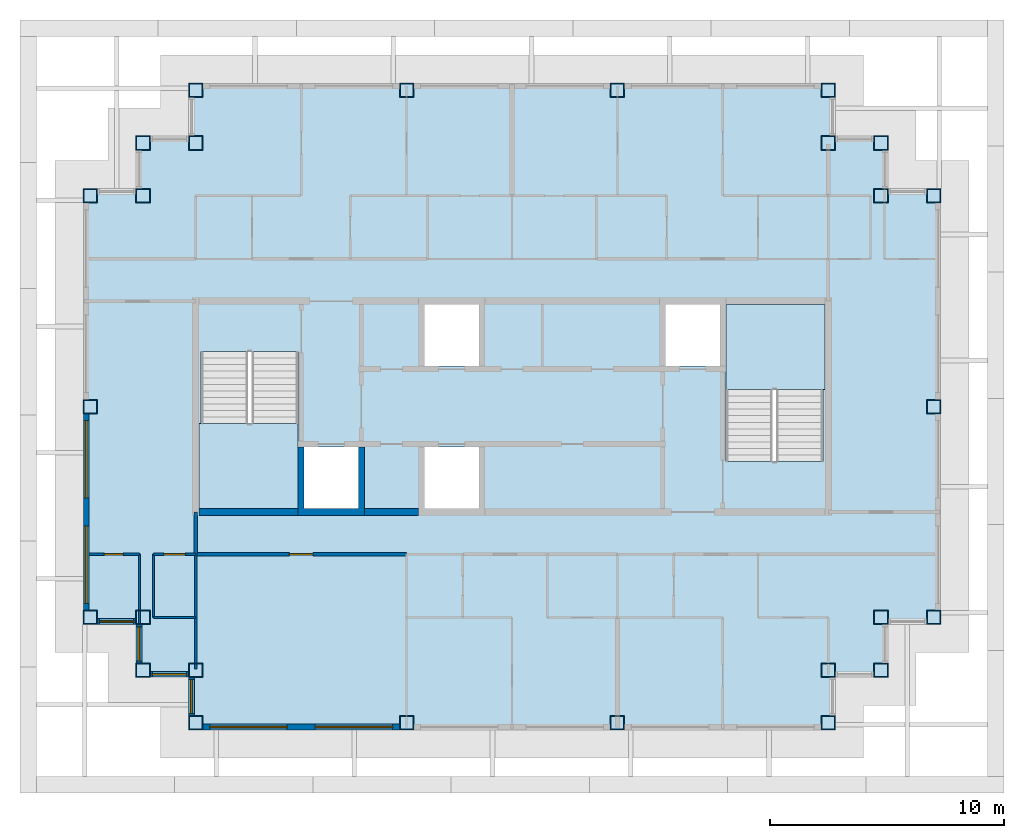
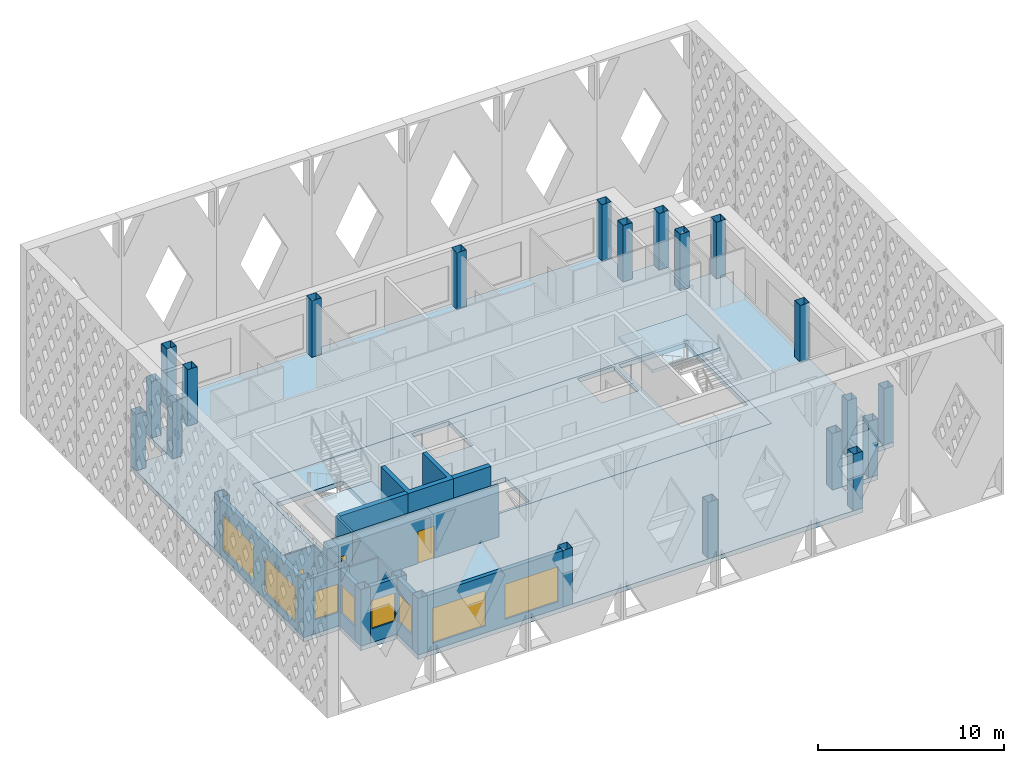
# One storey, part 1 of 13: 26 columns, 17 walls, 8 windows, 4 slabs, 3 doors, 11 openings, 2 elements without a shape of their own.
"""IFC4 building model written with IfcOpenShell, lengths in metres."""

import ifcopenshell
import ifcopenshell.guid

model = None  # the IFC model being written
_history = None  # IfcOwnerHistory: only IFC2X3 demands one
_inside = {}  # id of a spatial element -> (the spatial element, [elements in it])
_under = {}  # id of a project, library or spatial element -> (it, [spatial elements below it])
_declared = {}  # id of a project -> (the project, [libraries it declares])
_typed = {}  # id of a type object -> (the type object, [elements of that type])
_made_of = {}  # id of a material, layer set ... -> (it, [elements and type objects made of it])


def new_model(schema):
    """Start an empty IFC model of exactly this schema.

    Asked for "IFC4X3", IfcOpenShell would pick the latest addendum, in which some entities
    have other attributes; the version numbers below select the first issue.
    IFC2X3 requires an IfcOwnerHistory on every rooted entity: one is made here for all.
    """
    global model, _history
    if schema == "IFC4X3":
        model = ifcopenshell.file(schema_version=(4, 3, 0, 0))
    else:
        model = ifcopenshell.file(schema=schema)
    _inside.clear()
    _under.clear()
    _declared.clear()
    _typed.clear()
    _made_of.clear()
    _history = None
    if model.schema == "IFC2X3":
        org = make("IfcOrganization", Name="unknown")
        user = make(
            "IfcPersonAndOrganization",
            ThePerson=make("IfcPerson", FamilyName="unknown"),
            TheOrganization=org,
        )
        app = make(
            "IfcApplication",
            ApplicationDeveloper=org,
            Version="unknown",
            ApplicationFullName="unknown",
            ApplicationIdentifier="unknown",
        )
        _history = make(
            "IfcOwnerHistory",
            OwningUser=user,
            OwningApplication=app,
            ChangeAction="ADDED",
            CreationDate=0,
        )
    return model


def make(cls, **values):
    """One entity of the class cls with the attributes given. An attribute that is None is left unset."""
    return model.create_entity(
        cls, **{name: value for name, value in values.items() if value is not None}
    )


def rooted(cls, **values):
    """An entity with a GlobalId (a new one), such as an element, a storey or a relation."""
    return make(cls, GlobalId=ifcopenshell.guid.new(), OwnerHistory=_history, **values)


def si_unit(unit_type, name, prefix=None):
    """IfcSIUnit, for example si_unit("LENGTHUNIT", "METRE", prefix="MILLI")."""
    return make("IfcSIUnit", UnitType=unit_type, Prefix=prefix, Name=name)


def assignment(units):
    """IfcUnitAssignment: the units of a project."""
    return None if units is None else make("IfcUnitAssignment", Units=units)


def point(xyz):
    """IfcCartesianPoint."""
    return None if xyz is None else make("IfcCartesianPoint", Coordinates=xyz)


def direction(xyz):
    """IfcDirection."""
    return None if xyz is None else make("IfcDirection", DirectionRatios=xyz)


def frame(location, z_axis=None, x_axis=None):
    """IfcAxis2Placement3D, a coordinate frame: its origin and axes. An axis left out is left unset."""
    return make(
        "IfcAxis2Placement3D",
        Location=point(location),
        Axis=direction(z_axis),
        RefDirection=direction(x_axis),
    )


def frame_2d(location, x_axis=None):
    """IfcAxis2Placement2D, a coordinate frame in the plane: its origin and x axis."""
    return make(
        "IfcAxis2Placement2D", Location=point(location), RefDirection=direction(x_axis)
    )


def origin():
    """The frame at (0, 0, 0) with its axes left unset."""
    return frame((0.0, 0.0, 0.0))


def origin_2d():
    """The frame at (0, 0) in the plane with its x axis left unset."""
    return frame_2d((0.0, 0.0))


def place(relative_to, where):
    """IfcLocalPlacement: puts the frame where relative to a parent placement (None: the world)."""
    return make(
        "IfcLocalPlacement", PlacementRelTo=relative_to, RelativePlacement=where
    )


def context(
    kind, dimensions, precision=None, world=None, true_north=None, identifier=None
):
    """IfcGeometricRepresentationContext, for example the 3D "Model" context."""
    return make(
        "IfcGeometricRepresentationContext",
        ContextIdentifier=identifier,
        ContextType=kind,
        CoordinateSpaceDimension=dimensions,
        Precision=precision,
        WorldCoordinateSystem=world,
        TrueNorth=true_north,
    )


def subcontext(parent, identifier, kind, view, scale=None):
    """IfcGeometricRepresentationSubContext, for example "Body" below "Model"."""
    return make(
        "IfcGeometricRepresentationSubContext",
        ContextIdentifier=identifier,
        ContextType=kind,
        ParentContext=parent,
        TargetScale=scale,
        TargetView=view,
    )


def project(units=None, contexts=None):
    """IfcProject with its units and contexts."""
    return rooted(
        "IfcProject",
        Name="project",
        RepresentationContexts=contexts,
        UnitsInContext=assignment(units),
    )


def spatial(cls, under=None, at=None, **own):
    """A site, building, storey or space (cls), placed at a placement, below another one or the project."""
    s = rooted(cls, ObjectPlacement=at, **own)
    if under is not None:
        _under.setdefault(under.id(), (under, []))[1].append(s)
    return s


def polyline(points):
    """IfcPolyline through the points."""
    return make("IfcPolyline", Points=[point(p) for p in points])


def profile(cls, at=None, kind="AREA", **sizes):
    """A parametric profile (cls). Its sizes go by their IFC names, for example OverallWidth=200.0."""
    return make(cls, ProfileType=kind, Position=at, **sizes)


def rectangle(**sizes):
    """IfcRectangleProfileDef."""
    return profile("IfcRectangleProfileDef", **sizes)


def hollow_rectangle(**sizes):
    """IfcRectangleHollowProfileDef."""
    return profile("IfcRectangleHollowProfileDef", **sizes)


def outline(outer, holes=None, kind="AREA"):
    """IfcArbitraryClosedProfileDef: a profile drawn as a closed curve; with holes, ...WithVoids."""
    if holes is None:
        return make("IfcArbitraryClosedProfileDef", ProfileType=kind, OuterCurve=outer)
    return make(
        "IfcArbitraryProfileDefWithVoids",
        ProfileType=kind,
        OuterCurve=outer,
        InnerCurves=holes,
    )


def extrude(swept, where, along, depth):
    """IfcExtrudedAreaSolid: the profile swept, set in the frame where, extruded along a direction by depth."""
    return make(
        "IfcExtrudedAreaSolid",
        SweptArea=swept,
        Position=where,
        ExtrudedDirection=direction(along),
        Depth=depth,
    )


def shape(context_of_items, identifier, shape_type, items):
    """IfcShapeRepresentation: the items that make up one representation, for example the "Body"."""
    return make(
        "IfcShapeRepresentation",
        ContextOfItems=context_of_items,
        RepresentationIdentifier=identifier,
        RepresentationType=shape_type,
        Items=items,
    )


def material(Name=None, Category=None):
    """IfcMaterial."""
    return make("IfcMaterial", Name=Name, Category=Category)


def layer(
    of_material, thickness, ventilated=None, Name=None, Category=None, Priority=None
):
    """IfcMaterialLayer: one layer of a wall or slab, of a material (None: an air gap)."""
    return make(
        "IfcMaterialLayer",
        Material=of_material,
        LayerThickness=thickness,
        IsVentilated=ventilated,
        Name=Name,
        Category=Category,
        Priority=Priority,
    )


def layer_set(layers, Name=None):
    """IfcMaterialLayerSet."""
    return make("IfcMaterialLayerSet", MaterialLayers=layers, LayerSetName=Name)


def material_profile(
    of_material, cross_section, Name=None, Category=None, Priority=None
):
    """IfcMaterialProfile: a cross section and its material."""
    return make(
        "IfcMaterialProfile",
        Name=Name,
        Material=of_material,
        Profile=cross_section,
        Priority=Priority,
        Category=Category,
    )


def profile_set(profiles, Name=None, composite=None):
    """IfcMaterialProfileSet."""
    return make(
        "IfcMaterialProfileSet",
        Name=Name,
        MaterialProfiles=profiles,
        CompositeProfile=composite,
    )


def made_of(thing, what):
    """Note that an element or type object is made of a material, layer set ...; save() writes the relation."""
    if what is not None:
        _made_of.setdefault(what.id(), (what, []))[1].append(thing)
    return thing


def type_object(cls, material=None, **own):
    """A type object (cls), such as IfcWallType, which elements share."""
    return made_of(rooted(cls, **own), material)


def element(
    cls,
    number,
    at=None,
    inside=None,
    cuts=None,
    type_object=None,
    material=None,
    context=None,
    identifier="Body",
    shape_type=None,
    held_by="IfcProductDefinitionShape",
    body=None,
    shapes=None,
    **own,
):
    """One element of the class cls, such as IfcWall. Its Tag is "e" and its number.

    at: its placement. inside: the storey or other place that contains it. cuts: it is an
    opening in that element (IfcRelVoidsElement). A single representation is given by context,
    identifier, shape_type and body (its items); several are given by shapes. held_by: the class
    of the entity that holds the representations. save() writes the other relations.
    """
    e = rooted(cls, Tag="e%d" % number, ObjectPlacement=at, **own)
    if body is not None:
        shapes = [shape(context, identifier, shape_type, body)]
    if shapes is not None:
        e.Representation = make(held_by, Representations=shapes)
    if inside is not None:
        _inside.setdefault(inside.id(), (inside, []))[1].append(e)
    if cuts is not None:
        rooted(
            "IfcRelVoidsElement", RelatingBuildingElement=cuts, RelatedOpeningElement=e
        )
    if type_object is not None:
        _typed.setdefault(type_object.id(), (type_object, []))[1].append(e)
    return made_of(e, material)


def fill(opening, filler):
    """IfcRelFillsElement: the door or window that sits in an opening."""
    return rooted(
        "IfcRelFillsElement",
        RelatingOpeningElement=opening,
        RelatedBuildingElement=filler,
    )


def aggregate(whole, parts):
    """IfcRelAggregates: a whole, such as a stair, and the parts it consists of."""
    return rooted("IfcRelAggregates", RelatingObject=whole, RelatedObjects=parts)


def save(model, path):
    """Write the relations noted so far, then the file.

    IfcRelAggregates (storeys below a building ...), IfcRelContainedInSpatialStructure (elements
    in a storey), IfcRelDefinesByType, IfcRelAssociatesMaterial and IfcRelDeclares: one each for
    every whole, place, type object, material and project.
    """
    for whole, parts in _under.values():
        aggregate(whole, parts)
    for where, things in _inside.values():
        rooted(
            "IfcRelContainedInSpatialStructure",
            RelatedElements=things,
            RelatingStructure=where,
        )
    for kind, things in _typed.values():
        rooted("IfcRelDefinesByType", RelatedObjects=things, RelatingType=kind)
    for what, things in _made_of.values():
        rooted("IfcRelAssociatesMaterial", RelatedObjects=things, RelatingMaterial=what)
    for by, libraries in _declared.values():
        rooted("IfcRelDeclares", RelatingContext=by, RelatedDefinitions=libraries)
    model.write(path)


model = new_model("IFC4")

# Units and contexts
model_context = context("Model", 3, precision=1e-05, world=origin(), true_north=direction((0.0, 1.0)))
body_context = subcontext(model_context, "Body", "Model", "MODEL_VIEW")
ifc_project = project(units=[si_unit("LENGTHUNIT", "METRE"), si_unit("AREAUNIT", "SQUARE_METRE"), si_unit("VOLUMEUNIT", "CUBIC_METRE"), si_unit("PLANEANGLEUNIT", "RADIAN"), si_unit("MASSUNIT", "GRAM", prefix="KILO")], contexts=[model_context])

# Site, building, storey
site_placement = place(None, origin())
site = spatial("IfcSite", under=ifc_project, at=site_placement, CompositionType="ELEMENT")
building_placement = place(site_placement, origin())
building = spatial("IfcBuilding", under=site, at=building_placement, Name="Caravel Reach Hotel and Residences", CompositionType="ELEMENT")
storey_placement = place(building_placement, frame((0.0, 0.0, 283.39990234375)))
storey = spatial("IfcBuildingStorey", under=building, at=storey_placement, Name="L72", CompositionType="ELEMENT", Elevation=283.39990234375)

# Columns
ifc_material_1 = material(Name="Concrete-filled steel tube Q390B with Concrete C60 infill", Category="concrete")
ifc_material_profile = material_profile(ifc_material_1, hollow_rectangle(XDim=0.60009765625, YDim=0.60009765625, WallThickness=0.02001953125, at=origin_2d()), Name="RHS 600x600x20")
ifc_profile_set = profile_set([ifc_material_profile], Name="Concrete-filled steel tube Q390B with Concrete C60 infill")
column_type = type_object("IfcColumnType", Name="CFT 600x600 Q390B C60", PredefinedType="COLUMN", material=ifc_profile_set)
for number, where, z_axis, x_axis, name in (
    (1, (45.0, 13.5, 0.0), (0.0, 0.0, 1.0), (1.0, 0.0, 0.0), "C8 column"),
    (2, (45.0, 15.75, 0.0), (0.0, 0.0, 1.0), (1.0, 0.0, 0.0), "C8 column"),
    (3, (47.25, 15.75, 0.0), (0.0, 0.0, 1.0), (1.0, 0.0, 0.0), "C8 column"),
    (4, (47.25, 18.0, 0.0), (0.0, 0.0, 1.0), (1.0, 0.0, 0.0), "C8 column"),
    (5, (49.5, 18.0, 0.0), (0.0, 0.0, 1.0), (1.0, 0.0, 0.0), "C8 column"),
    (6, (49.5, 27.0, 0.0), (0.0, 0.0, 1.0), (1.0, 0.0, 0.0), "C8 column"),
    (7, (49.5, 36.0, 0.0), (0.0, 0.0, 1.0), (1.0, 0.0, 0.0), "C8 column"),
    (8, (47.25, 36.0, 0.0), (0.0, 0.0, 1.0), (1.0, 0.0, 0.0), "C8 column"),
    (9, (47.25, 38.25, 0.0), (0.0, 0.0, 1.0), (1.0, 0.0, 0.0), "C8 column"),
    (10, (45.0, 38.25, 0.0), (0.0, 0.0, 1.0), (1.0, 0.0, 0.0), "C8 column"),
    (11, (45.0, 40.5, 0.0), (0.0, 0.0, 1.0), (1.0, 0.0, 0.0), "C8 column"),
    (12, (36.0, 40.5, 0.0), (0.0, 0.0, 1.0), (1.0, 0.0, 0.0), "C8 column"),
    (13, (27.0, 40.5, 0.0), (0.0, 0.0, 1.0), (1.0, 0.0, 0.0), "C8 column"),
    (14, (18.0, 40.5, 0.0), (0.0, 0.0, 1.0), (1.0, 0.0, 0.0), "C8 column"),
    (15, (18.0, 38.25, 0.0), (0.0, 0.0, 1.0), (1.0, 0.0, 0.0), "C8 column"),
    (16, (15.75, 38.25, 0.0), (0.0, 0.0, 1.0), (1.0, 0.0, 0.0), "C8 column"),
    (17, (15.75, 36.0, 0.0), (0.0, 0.0, 1.0), (1.0, 0.0, 0.0), "C8 column"),
    (18, (13.5, 36.0, 0.0), (0.0, 0.0, 1.0), (1.0, 0.0, 0.0), "C8 column"),
    (19, (13.5, 27.0, 0.0), (0.0, 0.0, 1.0), (1.0, 0.0, 0.0), "C8 column"),
    (20, (13.5, 18.0, 0.0), (0.0, 0.0, 1.0), (1.0, 0.0, 0.0), "C8 column"),
    (21, (15.75, 18.0, 0.0), (0.0, 0.0, 1.0), (1.0, 0.0, 0.0), "C8 column"),
    (22, (15.75, 15.75, 0.0), (0.0, 0.0, 1.0), (1.0, 0.0, 0.0), "C8 column"),
    (23, (18.0, 15.75, 0.0), (0.0, 0.0, 1.0), (1.0, 0.0, 0.0), "C8 column"),
    (24, (18.0, 13.5, 0.0), (0.0, 0.0, 1.0), (1.0, 0.0, 0.0), "C8 column"),
    (25, (27.0, 13.5, 0.0), (0.0, 0.0, 1.0), (1.0, 0.0, 0.0), "C8 column"),
    (26, (36.0, 13.5, 0.0), (0.0, 0.0, 1.0), (1.0, 0.0, 0.0), "C8 column"),
):
    element("IfcColumn", number, at=place(storey_placement, frame(where, z_axis=z_axis, x_axis=x_axis)), inside=storey, type_object=column_type, Name=name, PredefinedType="COLUMN", context=body_context, shape_type="SweptSolid", body=[
        extrude(hollow_rectangle(XDim=0.60009765625, YDim=0.60009765625, WallThickness=0.02001953125, at=origin_2d()), origin(), (0.0, 0.0, 1.0), 3.7001953125),
    ])

# Slab
ifc_material_2 = material(Name="Concrete C40", Category="concrete")
ifc_layer_1 = layer(ifc_material_2, 0.300048828125)
ifc_layer_set_1 = layer_set([ifc_layer_1], Name="Core floor slab 300 mm")
slab_type_1 = type_object("IfcSlabType", Name="Core floor slab 300 mm", PredefinedType="FLOOR", material=ifc_layer_set_1)
slab_1_placement = place(storey_placement, frame((0.0, 0.0, -0.2998046875)))
element("IfcSlab", 27, at=slab_1_placement, inside=storey, type_object=slab_type_1, Name="L72 core floor", PredefinedType="FLOOR", context=body_context, shape_type="SweptSolid", body=[
    extrude(outline(polyline([(18.0, 31.5), (45.0, 31.5), (45.0, 22.5), (18.0, 22.5), (18.0, 31.5)]), holes=[polyline([(22.625, 22.64990234375), (24.9462890625, 22.64990234375), (24.9462890625, 25.27490234375), (22.625, 25.27490234375), (22.625, 22.64990234375)]), polyline([(27.767822265625, 25.27490234375), (27.767822265625, 22.64990234375), (30.08935546875, 22.64990234375), (30.08935546875, 25.27490234375), (27.767822265625, 25.27490234375)]), polyline([(22.375, 22.64990234375), (22.375, 29.35009765625), (18.22509765625, 29.35009765625), (18.22509765625, 22.64990234375), (22.375, 22.64990234375)]), polyline([(40.625, 24.64990234375), (44.77490234375, 24.64990234375), (44.77490234375, 31.35009765625), (40.625, 31.35009765625), (40.625, 24.64990234375)]), polyline([(27.767822265625, 31.35009765625), (27.767822265625, 28.72509765625), (30.08935546875, 28.72509765625), (30.08935546875, 31.35009765625), (27.767822265625, 31.35009765625)]), polyline([(38.0537109375, 31.35009765625), (38.0537109375, 28.72509765625), (40.375, 28.72509765625), (40.375, 31.35009765625), (38.0537109375, 31.35009765625)])]), origin(), (0.0, 0.0, 1.0), 0.2998046875),
])

# Stair, slab
ifc_material_3 = material(Name="Concrete C40", Category="concrete")
stair_type = type_object("IfcStairType", Name="Core stair", PredefinedType="HALF_TURN_STAIR", material=ifc_material_3)
stair_1_placement = place(storey_placement, origin())
stair_1 = element("IfcStair", 28, at=stair_1_placement, inside=storey, type_object=stair_type, Name="L72 Exit stair A", PredefinedType="HALF_TURN_STAIR")
ifc_material_4 = material(Name="Concrete C40", Category="concrete")
ifc_layer_2 = layer(ifc_material_4, 0.199951171875)
ifc_layer_set_2 = layer_set([ifc_layer_2], Name="Core stair landing")
slab_type_2 = type_object("IfcSlabType", Name="Core stair landing", PredefinedType="LANDING", material=ifc_layer_set_2)
slab_2_placement = place(storey_placement, frame((0.0, 0.0, 1.650146484375)))
slab_2 = element("IfcSlab", 29, at=slab_2_placement, type_object=slab_type_2, Name="ST-A landing 1", PredefinedType="LANDING", context=body_context, shape_type="SweptSolid", body=[
    extrude(outline(polyline([(18.14990234375, 26.27001953125), (18.14990234375, 22.64990234375), (22.375, 22.64990234375), (22.375, 26.27001953125), (18.14990234375, 26.27001953125)])), origin(), (0.0, 0.0, 1.0), 0.199951171875),
])
aggregate(stair_1, [slab_2])

stair_2_placement = place(storey_placement, origin())
stair_2 = element("IfcStair", 30, at=stair_2_placement, inside=storey, type_object=stair_type, Name="L72 Exit stair B", PredefinedType="HALF_TURN_STAIR")
slab_3_placement = place(storey_placement, frame((0.0, 0.0, 1.650146484375)))
slab_3 = element("IfcSlab", 31, at=slab_3_placement, type_object=slab_type_2, Name="ST-B landing 1", PredefinedType="LANDING", context=body_context, shape_type="SweptSolid", body=[
    extrude(outline(polyline([(44.85009765625, 27.72998046875), (44.85009765625, 31.35009765625), (40.625, 31.35009765625), (40.625, 27.72998046875), (44.85009765625, 27.72998046875)])), origin(), (0.0, 0.0, 1.0), 0.199951171875),
])
aggregate(stair_2, [slab_3])

# Slab
ifc_material_5 = material(Name="Concrete C40 post-tensioned", Category="concrete")
ifc_layer_3 = layer(ifc_material_5, 0.300048828125)
ifc_layer_set_3 = layer_set([ifc_layer_3], Name="Floor slab 300")
slab_type_3 = type_object("IfcSlabType", Name="Floor slab 300", PredefinedType="FLOOR", material=ifc_layer_set_3)
slab_4_placement = place(storey_placement, frame((0.0, 0.0, -0.2998046875)))
element("IfcSlab", 32, at=slab_4_placement, inside=storey, type_object=slab_type_3, Name="S2 slab L72", PredefinedType="FLOOR", context=body_context, shape_type="SweptSolid", body=[
    extrude(outline(polyline([(17.699951171875, 15.449951171875), (15.449951171875, 15.449951171875), (15.449951171875, 17.699951171875), (13.199951171875, 17.699951171875), (13.199951171875, 36.300048828125), (15.449951171875, 36.300048828125), (15.449951171875, 38.550048828125), (17.699951171875, 38.550048828125), (17.699951171875, 40.800048828125), (45.300048828125, 40.800048828125), (45.300048828125, 38.550048828125), (47.550048828125, 38.550048828125), (47.550048828125, 36.300048828125), (49.800048828125, 36.300048828125), (49.800048828125, 17.699951171875), (47.550048828125, 17.699951171875), (47.550048828125, 15.449951171875), (45.300048828125, 15.449951171875), (45.300048828125, 13.199951171875), (17.699951171875, 13.199951171875), (17.699951171875, 15.449951171875)]), holes=[polyline([(45.0, 31.5), (18.0, 31.5), (18.0, 22.5), (45.0, 22.5), (45.0, 31.5)])]), origin(), (0.0, 0.0, 1.0), 0.2998046875),
])

# Wall, opening, door
ifc_material_6 = material(Name="Gypsum board on steel stud", Category="steel")
ifc_layer_4 = layer(ifc_material_6, 0.10009765625)
ifc_layer_set_4 = layer_set([ifc_layer_4], Name="Bathroom pod wall 100 mm")
wall_type_1 = type_object("IfcWallType", Name="Bathroom pod wall 100 mm", PredefinedType="PARTITIONING", material=ifc_layer_set_4)
wall_1_placement = place(storey_placement, frame((13.449951171875, 20.699951171875, 0.0), z_axis=(0.0, 0.0, 1.0), x_axis=(1.0, 0.0, 0.0)))
wall_1 = element("IfcWall", 33, at=wall_1_placement, inside=storey, type_object=wall_type_1, Name="L72 wall w052", PredefinedType="PARTITIONING", context=body_context, shape_type="SweptSolid", body=[
    extrude(rectangle(XDim=2.150146484375, YDim=0.10009765625, at=frame_2d((1.0751953125, 0.0))), origin(), (0.0, 0.0, 1.0), 3.400146484375),
])
opening_1_placement = place(wall_1_placement, frame((0.64990234375, 0.0, 0.0)))
opening_1 = element("IfcOpeningElement", 34, at=opening_1_placement, cuts=wall_1, Name="Opening D72-038", PredefinedType="OPENING", context=body_context, shape_type="SweptSolid", body=[
    extrude(rectangle(XDim=0.800048828125, YDim=2.10009765625, at=frame_2d((0.39990234375, 1.050048828125))), frame((0.0, 0.06005859375, 0.0), z_axis=(0.0, -1.0, 0.0), x_axis=(1.0, 0.0, 0.0)), (0.0, 0.0, 1.0), 0.1201171875),
])
ifc_material_7 = material(Name="Timber and steel door leaf", Category="steel")
door_type_1 = type_object("IfcDoorType", Name="Bathroom door 800 x 2100", OperationType="SINGLE_SWING_LEFT", PredefinedType="DOOR", material=ifc_material_7)
door_1_placement = place(opening_1_placement, origin())
door_1 = element("IfcDoor", 35, at=door_1_placement, inside=storey, type_object=door_type_1, Name="door D72-038", OperationType="SINGLE_SWING_RIGHT", OverallHeight=2.10009765625, OverallWidth=0.800048828125, PredefinedType="DOOR", context=body_context, shape_type="SweptSolid", body=[
    extrude(rectangle(XDim=0.800048828125, YDim=2.10009765625, at=frame_2d((0.39990234375, 1.050048828125))), frame((0.0, 0.02490234375, 0.0), z_axis=(0.0, -1.0, 0.0), x_axis=(1.0, 0.0, 0.0)), (0.0, 0.0, 1.0), 0.050048828125),
])
fill(opening_1, door_1)

# Walls
wall_2_placement = place(storey_placement, frame((15.60009765625, 17.699951171875, 0.0), z_axis=(0.0, 0.0, 1.0), x_axis=(0.0, 1.0, 0.0)))
element("IfcWall", 36, at=wall_2_placement, inside=storey, type_object=wall_type_1, Name="L72 wall w062", PredefinedType="PARTITIONING", context=body_context, shape_type="SweptSolid", body=[
    extrude(rectangle(XDim=3.0, YDim=0.10009765625, at=frame_2d((1.5, 0.0))), origin(), (0.0, 0.0, 1.0), 3.400146484375),
])
ifc_material_8 = material(Name="Concrete C60", Category="concrete")
ifc_layer_5 = layer(ifc_material_8, 0.300048828125)
ifc_layer_set_5 = layer_set([ifc_layer_5], Name="Core wall 300 mm EI 120")
wall_type_2 = type_object("IfcWallType", Name="Core wall 300 mm EI 120", PredefinedType="SHEAR", material=ifc_layer_set_5)
wall_3_placement = place(storey_placement, frame((18.14990234375, 22.5, 0.0), z_axis=(0.0, 0.0, 1.0), x_axis=(1.0, 0.0, 0.0)))
element("IfcWall", 37, at=wall_3_placement, inside=storey, type_object=wall_type_2, Name="L72 core wall S1", PredefinedType="SHEAR", context=body_context, shape_type="SweptSolid", body=[
    extrude(rectangle(XDim=4.22509765625, YDim=0.300048828125, at=frame_2d((2.112548828125, 0.0))), origin(), (0.0, 0.0, 1.0), 3.400146484375),
])
wall_4_placement = place(storey_placement, frame((25.196533203125, 22.5, 0.0), z_axis=(0.0, 0.0, 1.0), x_axis=(1.0, 0.0, 0.0)))
element("IfcWall", 38, at=wall_4_placement, inside=storey, type_object=wall_type_2, Name="L72 core wall S2", PredefinedType="SHEAR", context=body_context, shape_type="SweptSolid", body=[
    extrude(rectangle(XDim=2.3212890625, YDim=0.300048828125, at=frame_2d((1.16064453125, 0.0))), origin(), (0.0, 0.0, 1.0), 3.400146484375),
])

# Wall, opening, door
ifc_material_9 = material(Name="Gypsum board on steel stud, fire-rated", Category="steel")
ifc_layer_6 = layer(ifc_material_9, 0.14990234375)
ifc_layer_set_6 = layer_set([ifc_layer_6], Name="Corridor wall 150 mm EI 60")
wall_type_3 = type_object("IfcWallType", Name="Corridor wall 150 mm EI 60", PredefinedType="PARTITIONING", material=ifc_layer_set_6)
wall_5_placement = place(storey_placement, frame((18.0, 20.699951171875, 0.0), z_axis=(0.0, 0.0, 1.0), x_axis=(1.0, 0.0, 0.0)))
wall_5 = element("IfcWall", 39, at=wall_5_placement, inside=storey, type_object=wall_type_3, Name="L72 wall w001", PredefinedType="PARTITIONING", context=body_context, shape_type="SweptSolid", body=[
    extrude(rectangle(XDim=9.0, YDim=0.14990234375, at=frame_2d((4.5, 0.0))), origin(), (0.0, 0.0, 1.0), 3.400146484375),
])
opening_2_placement = place(wall_5_placement, frame((4.0, 0.0, 0.0)))
opening_2 = element("IfcOpeningElement", 40, at=opening_2_placement, cuts=wall_5, Name="Opening D72-028", PredefinedType="OPENING", context=body_context, shape_type="SweptSolid", body=[
    extrude(rectangle(XDim=1.0, YDim=2.10009765625, at=frame_2d((0.5, 1.050048828125))), frame((0.0, 0.0849609375, 0.0), z_axis=(0.0, -1.0, 0.0), x_axis=(1.0, 0.0, 0.0)), (0.0, 0.0, 1.0), 0.169921875),
])
ifc_material_10 = material(Name="Steel fire door leaf", Category="steel")
door_type_2 = type_object("IfcDoorType", Name="Fire door 1000 x 2100 EI 60", OperationType="SINGLE_SWING_LEFT", PredefinedType="DOOR", material=ifc_material_10)
door_2_placement = place(opening_2_placement, origin())
door_2 = element("IfcDoor", 41, at=door_2_placement, inside=storey, type_object=door_type_2, Name="door D72-028", OperationType="SINGLE_SWING_RIGHT", OverallHeight=2.10009765625, OverallWidth=1.0, PredefinedType="DOOR", context=body_context, shape_type="SweptSolid", body=[
    extrude(rectangle(XDim=1.0, YDim=2.10009765625, at=frame_2d((0.5, 1.050048828125))), frame((0.0, 0.02490234375, 0.0), z_axis=(0.0, -1.0, 0.0), x_axis=(1.0, 0.0, 0.0)), (0.0, 0.0, 1.0), 0.050048828125),
])
fill(opening_2, door_2)

# Wall
wall_6_placement = place(storey_placement, frame((18.0, 20.699951171875, 0.0), z_axis=(0.0, 0.0, 1.0), x_axis=(0.0, 1.0, 0.0)))
element("IfcWall", 42, at=wall_6_placement, inside=storey, type_object=wall_type_3, Name="L72 wall w014", PredefinedType="PARTITIONING", context=body_context, shape_type="SweptSolid", body=[
    extrude(rectangle(XDim=1.800048828125, YDim=0.14990234375, at=frame_2d((0.89990234375, 0.0))), origin(), (0.0, 0.0, 1.0), 3.400146484375),
])

# Wall, openings, windows
ifc_material_11 = material(Name="Insulated rainscreen wall, aluminium cladding", Category="aluminium")
ifc_layer_7 = layer(ifc_material_11, 0.25)
ifc_layer_set_7 = layer_set([ifc_layer_7], Name="EW1 Tower rainscreen wall")
wall_type_4 = type_object("IfcWallType", Name="EW1 Tower rainscreen wall", PredefinedType="SOLIDWALL", material=ifc_layer_set_7)
wall_7_placement = place(storey_placement, frame((13.324951171875, 26.699951171875, 0.0), z_axis=(0.0, 0.0, 1.0), x_axis=(0.0, -1.0, 0.0)))
wall_7 = element("IfcWall", 43, at=wall_7_placement, inside=storey, type_object=wall_type_4, Name="External wall L72 W15.2", PredefinedType="SOLIDWALL", context=body_context, shape_type="SweptSolid", body=[
    extrude(rectangle(XDim=8.39990234375, YDim=0.25, at=frame_2d((4.199951171875, 0.0))), origin(), (0.0, 0.0, 1.0), 3.7001953125),
])
opening_3_placement = place(wall_7_placement, frame((0.300048828125, 0.0, 0.449951171875)))
opening_3 = element("IfcOpeningElement", 44, at=opening_3_placement, cuts=wall_7, Name="Opening WN15", PredefinedType="OPENING", context=body_context, shape_type="SweptSolid", body=[
    extrude(rectangle(XDim=3.300048828125, YDim=2.300048828125, at=frame_2d((1.64990234375, 1.14990234375))), frame((0.0, 0.135009765625, 0.0), z_axis=(0.0, -1.0, 0.0), x_axis=(1.0, 0.0, 0.0)), (0.0, 0.0, 1.0), 0.27001953125),
])
opening_4_placement = place(wall_7_placement, frame((4.800048828125, 0.0, 0.449951171875)))
opening_4 = element("IfcOpeningElement", 45, at=opening_4_placement, cuts=wall_7, Name="Opening WN15", PredefinedType="OPENING", context=body_context, shape_type="SweptSolid", body=[
    extrude(rectangle(XDim=3.300048828125, YDim=2.300048828125, at=frame_2d((1.64990234375, 1.14990234375))), frame((0.0, 0.135009765625, 0.0), z_axis=(0.0, -1.0, 0.0), x_axis=(1.0, 0.0, 0.0)), (0.0, 0.0, 1.0), 0.27001953125),
])
ifc_material_12 = material(Name="Dark low-e glazing in black aluminium frame", Category="aluminium")
window_type_1 = type_object("IfcWindowType", Name="Residence living window 3300 x 2300", PartitioningType="SINGLE_PANEL", PredefinedType="WINDOW", material=ifc_material_12)
window_1_placement = place(opening_3_placement, origin())
window_1 = element("IfcWindow", 46, at=window_1_placement, inside=storey, type_object=window_type_1, Name="Window L72 W15.2.1", OverallHeight=2.300048828125, OverallWidth=3.300048828125, PartitioningType="SINGLE_PANEL", PredefinedType="WINDOW", context=body_context, shape_type="SweptSolid", body=[
    extrude(rectangle(XDim=3.300048828125, YDim=2.300048828125, at=frame_2d((1.64990234375, 1.14990234375))), frame((0.0, 0.030029296875, 0.0), z_axis=(0.0, -1.0, 0.0), x_axis=(1.0, 0.0, 0.0)), (0.0, 0.0, 1.0), 0.06005859375),
])
fill(opening_3, window_1)
window_2_placement = place(opening_4_placement, origin())
window_2 = element("IfcWindow", 47, at=window_2_placement, inside=storey, type_object=window_type_1, Name="Window L72 W15.2.2", OverallHeight=2.300048828125, OverallWidth=3.300048828125, PartitioningType="SINGLE_PANEL", PredefinedType="WINDOW", context=body_context, shape_type="SweptSolid", body=[
    extrude(rectangle(XDim=3.300048828125, YDim=2.300048828125, at=frame_2d((1.64990234375, 1.14990234375))), frame((0.0, 0.030029296875, 0.0), z_axis=(0.0, -1.0, 0.0), x_axis=(1.0, 0.0, 0.0)), (0.0, 0.0, 1.0), 0.06005859375),
])
fill(opening_4, window_2)

# Wall, opening, window
wall_8_placement = place(storey_placement, frame((13.800048828125, 17.824951171875, 0.0), z_axis=(0.0, 0.0, 1.0), x_axis=(1.0, 0.0, 0.0)))
wall_8 = element("IfcWall", 48, at=wall_8_placement, inside=storey, type_object=wall_type_4, Name="External wall L72 S16.1", PredefinedType="SOLIDWALL", context=body_context, shape_type="SweptSolid", body=[
    extrude(rectangle(XDim=1.64990234375, YDim=0.25, at=frame_2d((0.824951171875, 0.0))), origin(), (0.0, 0.0, 1.0), 3.7001953125),
])
opening_5_placement = place(wall_8_placement, frame((0.10009765625, 0.0, 0.89990234375)))
opening_5 = element("IfcOpeningElement", 49, at=opening_5_placement, cuts=wall_8, Name="Opening WN25", PredefinedType="OPENING", context=body_context, shape_type="SweptSolid", body=[
    extrude(rectangle(XDim=1.449951171875, YDim=1.85009765625, at=frame_2d((0.72509765625, 0.925048828125))), frame((0.0, 0.135009765625, 0.0), z_axis=(0.0, -1.0, 0.0), x_axis=(1.0, 0.0, 0.0)), (0.0, 0.0, 1.0), 0.27001953125),
])
ifc_material_13 = material(Name="Dark low-e glazing in black aluminium frame", Category="aluminium")
window_type_2 = type_object("IfcWindowType", Name="Residence bedroom window 1450 x 1850", PartitioningType="SINGLE_PANEL", PredefinedType="WINDOW", material=ifc_material_13)
window_3_placement = place(opening_5_placement, origin())
window_3 = element("IfcWindow", 50, at=window_3_placement, inside=storey, type_object=window_type_2, Name="Window L72 S16.1.1", OverallHeight=1.85009765625, OverallWidth=1.449951171875, PartitioningType="SINGLE_PANEL", PredefinedType="WINDOW", context=body_context, shape_type="SweptSolid", body=[
    extrude(rectangle(XDim=1.449951171875, YDim=1.85009765625, at=frame_2d((0.72509765625, 0.925048828125))), frame((0.0, 0.030029296875, 0.0), z_axis=(0.0, -1.0, 0.0), x_axis=(1.0, 0.0, 0.0)), (0.0, 0.0, 1.0), 0.06005859375),
])
fill(opening_5, window_3)

wall_9_placement = place(storey_placement, frame((15.574951171875, 17.699951171875, 0.0), z_axis=(0.0, 0.0, 1.0), x_axis=(0.0, -1.0, 0.0)))
wall_9 = element("IfcWall", 51, at=wall_9_placement, inside=storey, type_object=wall_type_4, Name="External wall L72 W17.1", PredefinedType="SOLIDWALL", context=body_context, shape_type="SweptSolid", body=[
    extrude(rectangle(XDim=1.64990234375, YDim=0.25, at=frame_2d((0.824951171875, 0.0))), origin(), (0.0, 0.0, 1.0), 3.7001953125),
])
opening_6_placement = place(wall_9_placement, frame((0.10009765625, 0.0, 0.89990234375)))
opening_6 = element("IfcOpeningElement", 52, at=opening_6_placement, cuts=wall_9, Name="Opening WN25", PredefinedType="OPENING", context=body_context, shape_type="SweptSolid", body=[
    extrude(rectangle(XDim=1.449951171875, YDim=1.85009765625, at=frame_2d((0.72509765625, 0.925048828125))), frame((0.0, 0.135009765625, 0.0), z_axis=(0.0, -1.0, 0.0), x_axis=(1.0, 0.0, 0.0)), (0.0, 0.0, 1.0), 0.27001953125),
])
window_4_placement = place(opening_6_placement, origin())
window_4 = element("IfcWindow", 53, at=window_4_placement, inside=storey, type_object=window_type_2, Name="Window L72 W17.1.1", OverallHeight=1.85009765625, OverallWidth=1.449951171875, PartitioningType="SINGLE_PANEL", PredefinedType="WINDOW", context=body_context, shape_type="SweptSolid", body=[
    extrude(rectangle(XDim=1.449951171875, YDim=1.85009765625, at=frame_2d((0.72509765625, 0.925048828125))), frame((0.0, 0.030029296875, 0.0), z_axis=(0.0, -1.0, 0.0), x_axis=(1.0, 0.0, 0.0)), (0.0, 0.0, 1.0), 0.06005859375),
])
fill(opening_6, window_4)

wall_10_placement = place(storey_placement, frame((16.050048828125, 15.574951171875, 0.0), z_axis=(0.0, 0.0, 1.0), x_axis=(1.0, 0.0, 0.0)))
wall_10 = element("IfcWall", 54, at=wall_10_placement, inside=storey, type_object=wall_type_4, Name="External wall L72 S18.1", PredefinedType="SOLIDWALL", context=body_context, shape_type="SweptSolid", body=[
    extrude(rectangle(XDim=1.64990234375, YDim=0.25, at=frame_2d((0.824951171875, 0.0))), origin(), (0.0, 0.0, 1.0), 3.7001953125),
])
opening_7_placement = place(wall_10_placement, frame((0.10009765625, 0.0, 0.89990234375)))
opening_7 = element("IfcOpeningElement", 55, at=opening_7_placement, cuts=wall_10, Name="Opening WN25", PredefinedType="OPENING", context=body_context, shape_type="SweptSolid", body=[
    extrude(rectangle(XDim=1.449951171875, YDim=1.85009765625, at=frame_2d((0.72509765625, 0.925048828125))), frame((0.0, 0.135009765625, 0.0), z_axis=(0.0, -1.0, 0.0), x_axis=(1.0, 0.0, 0.0)), (0.0, 0.0, 1.0), 0.27001953125),
])
window_5_placement = place(opening_7_placement, origin())
window_5 = element("IfcWindow", 56, at=window_5_placement, inside=storey, type_object=window_type_2, Name="Window L72 S18.1.1", OverallHeight=1.85009765625, OverallWidth=1.449951171875, PartitioningType="SINGLE_PANEL", PredefinedType="WINDOW", context=body_context, shape_type="SweptSolid", body=[
    extrude(rectangle(XDim=1.449951171875, YDim=1.85009765625, at=frame_2d((0.72509765625, 0.925048828125))), frame((0.0, 0.030029296875, 0.0), z_axis=(0.0, -1.0, 0.0), x_axis=(1.0, 0.0, 0.0)), (0.0, 0.0, 1.0), 0.06005859375),
])
fill(opening_7, window_5)

wall_11_placement = place(storey_placement, frame((17.824951171875, 15.449951171875, 0.0), z_axis=(0.0, 0.0, 1.0), x_axis=(0.0, -1.0, 0.0)))
wall_11 = element("IfcWall", 57, at=wall_11_placement, inside=storey, type_object=wall_type_4, Name="External wall L72 W19.1", PredefinedType="SOLIDWALL", context=body_context, shape_type="SweptSolid", body=[
    extrude(rectangle(XDim=1.64990234375, YDim=0.25, at=frame_2d((0.824951171875, 0.0))), origin(), (0.0, 0.0, 1.0), 3.7001953125),
])
opening_8_placement = place(wall_11_placement, frame((0.10009765625, 0.0, 0.89990234375)))
opening_8 = element("IfcOpeningElement", 58, at=opening_8_placement, cuts=wall_11, Name="Opening WN25", PredefinedType="OPENING", context=body_context, shape_type="SweptSolid", body=[
    extrude(rectangle(XDim=1.449951171875, YDim=1.85009765625, at=frame_2d((0.72509765625, 0.925048828125))), frame((0.0, 0.135009765625, 0.0), z_axis=(0.0, -1.0, 0.0), x_axis=(1.0, 0.0, 0.0)), (0.0, 0.0, 1.0), 0.27001953125),
])
window_6_placement = place(opening_8_placement, origin())
window_6 = element("IfcWindow", 59, at=window_6_placement, inside=storey, type_object=window_type_2, Name="Window L72 W19.1.1", OverallHeight=1.85009765625, OverallWidth=1.449951171875, PartitioningType="SINGLE_PANEL", PredefinedType="WINDOW", context=body_context, shape_type="SweptSolid", body=[
    extrude(rectangle(XDim=1.449951171875, YDim=1.85009765625, at=frame_2d((0.72509765625, 0.925048828125))), frame((0.0, 0.030029296875, 0.0), z_axis=(0.0, -1.0, 0.0), x_axis=(1.0, 0.0, 0.0)), (0.0, 0.0, 1.0), 0.06005859375),
])
fill(opening_8, window_6)

# Wall, openings, windows
wall_12_placement = place(storey_placement, frame((18.300048828125, 13.324951171875, 0.0), z_axis=(0.0, 0.0, 1.0), x_axis=(1.0, 0.0, 0.0)))
wall_12 = element("IfcWall", 60, at=wall_12_placement, inside=storey, type_object=wall_type_4, Name="External wall L72 S20.1", PredefinedType="SOLIDWALL", context=body_context, shape_type="SweptSolid", body=[
    extrude(rectangle(XDim=8.39990234375, YDim=0.25, at=frame_2d((4.199951171875, 0.0))), origin(), (0.0, 0.0, 1.0), 3.7001953125),
])
opening_9_placement = place(wall_12_placement, frame((0.300048828125, 0.0, 0.449951171875)))
opening_9 = element("IfcOpeningElement", 61, at=opening_9_placement, cuts=wall_12, Name="Opening WN15", PredefinedType="OPENING", context=body_context, shape_type="SweptSolid", body=[
    extrude(rectangle(XDim=3.300048828125, YDim=2.300048828125, at=frame_2d((1.64990234375, 1.14990234375))), frame((0.0, 0.135009765625, 0.0), z_axis=(0.0, -1.0, 0.0), x_axis=(1.0, 0.0, 0.0)), (0.0, 0.0, 1.0), 0.27001953125),
])
opening_10_placement = place(wall_12_placement, frame((4.800048828125, 0.0, 0.449951171875)))
opening_10 = element("IfcOpeningElement", 62, at=opening_10_placement, cuts=wall_12, Name="Opening WN15", PredefinedType="OPENING", context=body_context, shape_type="SweptSolid", body=[
    extrude(rectangle(XDim=3.300048828125, YDim=2.300048828125, at=frame_2d((1.64990234375, 1.14990234375))), frame((0.0, 0.135009765625, 0.0), z_axis=(0.0, -1.0, 0.0), x_axis=(1.0, 0.0, 0.0)), (0.0, 0.0, 1.0), 0.27001953125),
])
window_7_placement = place(opening_9_placement, origin())
window_7 = element("IfcWindow", 63, at=window_7_placement, inside=storey, type_object=window_type_1, Name="Window L72 S20.1.1", OverallHeight=2.300048828125, OverallWidth=3.300048828125, PartitioningType="SINGLE_PANEL", PredefinedType="WINDOW", context=body_context, shape_type="SweptSolid", body=[
    extrude(rectangle(XDim=3.300048828125, YDim=2.300048828125, at=frame_2d((1.64990234375, 1.14990234375))), frame((0.0, 0.030029296875, 0.0), z_axis=(0.0, -1.0, 0.0), x_axis=(1.0, 0.0, 0.0)), (0.0, 0.0, 1.0), 0.06005859375),
])
fill(opening_9, window_7)
window_8_placement = place(opening_10_placement, origin())
window_8 = element("IfcWindow", 64, at=window_8_placement, inside=storey, type_object=window_type_1, Name="Window L72 S20.1.2", OverallHeight=2.300048828125, OverallWidth=3.300048828125, PartitioningType="SINGLE_PANEL", PredefinedType="WINDOW", context=body_context, shape_type="SweptSolid", body=[
    extrude(rectangle(XDim=3.300048828125, YDim=2.300048828125, at=frame_2d((1.64990234375, 1.14990234375))), frame((0.0, 0.030029296875, 0.0), z_axis=(0.0, -1.0, 0.0), x_axis=(1.0, 0.0, 0.0)), (0.0, 0.0, 1.0), 0.06005859375),
])
fill(opening_10, window_8)

# Wall
ifc_material_14 = material(Name="Gypsum board on steel stud", Category="steel")
ifc_layer_8 = layer(ifc_material_14, 0.10009765625)
ifc_layer_set_8 = layer_set([ifc_layer_8], Name="Partition 100 mm")
wall_type_5 = type_object("IfcWallType", Name="Partition 100 mm", PredefinedType="PARTITIONING", material=ifc_layer_set_8)
wall_13_placement = place(storey_placement, frame((16.199951171875, 18.0, 0.0), z_axis=(0.0, 0.0, 1.0), x_axis=(1.0, 0.0, 0.0)))
element("IfcWall", 65, at=wall_13_placement, inside=storey, type_object=wall_type_5, Name="L72 wall w020", PredefinedType="PARTITIONING", context=body_context, shape_type="SweptSolid", body=[
    extrude(rectangle(XDim=1.800048828125, YDim=0.10009765625, at=frame_2d((0.89990234375, 0.0))), origin(), (0.0, 0.0, 1.0), 3.400146484375),
])

# Wall, opening, door
wall_14_placement = place(storey_placement, frame((16.199951171875, 20.699951171875, 0.0), z_axis=(0.0, 0.0, 1.0), x_axis=(1.0, 0.0, 0.0)))
wall_14 = element("IfcWall", 66, at=wall_14_placement, inside=storey, type_object=wall_type_5, Name="L72 wall w021", PredefinedType="PARTITIONING", context=body_context, shape_type="SweptSolid", body=[
    extrude(rectangle(XDim=1.800048828125, YDim=0.10009765625, at=frame_2d((0.89990234375, 0.0))), origin(), (0.0, 0.0, 1.0), 3.400146484375),
])
opening_11_placement = place(wall_14_placement, frame((0.449951171875, 0.0, 0.0)))
opening_11 = element("IfcOpeningElement", 67, at=opening_11_placement, cuts=wall_14, Name="Opening D72-039", PredefinedType="OPENING", context=body_context, shape_type="SweptSolid", body=[
    extrude(rectangle(XDim=0.89990234375, YDim=2.10009765625, at=frame_2d((0.449951171875, 1.050048828125))), frame((0.0, 0.06005859375, 0.0), z_axis=(0.0, -1.0, 0.0), x_axis=(1.0, 0.0, 0.0)), (0.0, 0.0, 1.0), 0.1201171875),
])
ifc_material_15 = material(Name="Timber and steel door leaf", Category="steel")
door_type_3 = type_object("IfcDoorType", Name="Door 900 x 2100 timber", OperationType="SINGLE_SWING_LEFT", PredefinedType="DOOR", material=ifc_material_15)
door_3_placement = place(opening_11_placement, origin())
door_3 = element("IfcDoor", 68, at=door_3_placement, inside=storey, type_object=door_type_3, Name="door D72-039", OperationType="SINGLE_SWING_RIGHT", OverallHeight=2.10009765625, OverallWidth=0.89990234375, PredefinedType="DOOR", context=body_context, shape_type="SweptSolid", body=[
    extrude(rectangle(XDim=0.89990234375, YDim=2.10009765625, at=frame_2d((0.449951171875, 1.050048828125))), frame((0.0, 0.02490234375, 0.0), z_axis=(0.0, -1.0, 0.0), x_axis=(1.0, 0.0, 0.0)), (0.0, 0.0, 1.0), 0.050048828125),
])
fill(opening_11, door_3)

# Walls
wall_15_placement = place(storey_placement, frame((16.199951171875, 18.0, 0.0), z_axis=(0.0, 0.0, 1.0), x_axis=(0.0, 1.0, 0.0)))
element("IfcWall", 69, at=wall_15_placement, inside=storey, type_object=wall_type_5, Name="L72 wall w030", PredefinedType="PARTITIONING", context=body_context, shape_type="SweptSolid", body=[
    extrude(rectangle(XDim=2.699951171875, YDim=0.10009765625, at=frame_2d((1.35009765625, 0.0))), origin(), (0.0, 0.0, 1.0), 3.400146484375),
])
wall_16_placement = place(storey_placement, frame((18.0, 15.800048828125, 0.0), z_axis=(0.0, 0.0, 1.0), x_axis=(0.0, 1.0, 0.0)))
element("IfcWall", 70, at=wall_16_placement, inside=storey, type_object=wall_type_5, Name="L72 wall w031", PredefinedType="PARTITIONING", context=body_context, shape_type="SweptSolid", body=[
    extrude(rectangle(XDim=4.89990234375, YDim=0.10009765625, at=frame_2d((2.449951171875, 0.0))), origin(), (0.0, 0.0, 1.0), 3.400146484375),
])
ifc_material_16 = material(Name="Concrete C60", Category="concrete")
ifc_layer_9 = layer(ifc_material_16, 0.25)
ifc_layer_set_9 = layer_set([ifc_layer_9], Name="Shaft wall 250 mm EI 120")
wall_type_6 = type_object("IfcWallType", Name="Shaft wall 250 mm EI 120", PredefinedType="SHEAR", material=ifc_layer_set_9)
wall_17_placement = place(storey_placement, origin())
element("IfcWall", 71, at=wall_17_placement, inside=storey, type_object=wall_type_6, Name="L72 lift shaft wall S1", PredefinedType="SHEAR", context=body_context, shape_type="SweptSolid", body=[
    extrude(outline(polyline([(22.375, 22.35009765625), (25.196533203125, 22.35009765625), (25.196533203125, 25.27490234375), (24.946533203125, 25.27490234375), (24.946533203125, 22.64990234375), (22.625, 22.64990234375), (22.625, 25.27490234375), (22.375, 25.27490234375), (22.375, 22.35009765625)])), origin(), (0.0, 0.0, 1.0), 3.400146484375),
])

save(model, "model.ifc")
